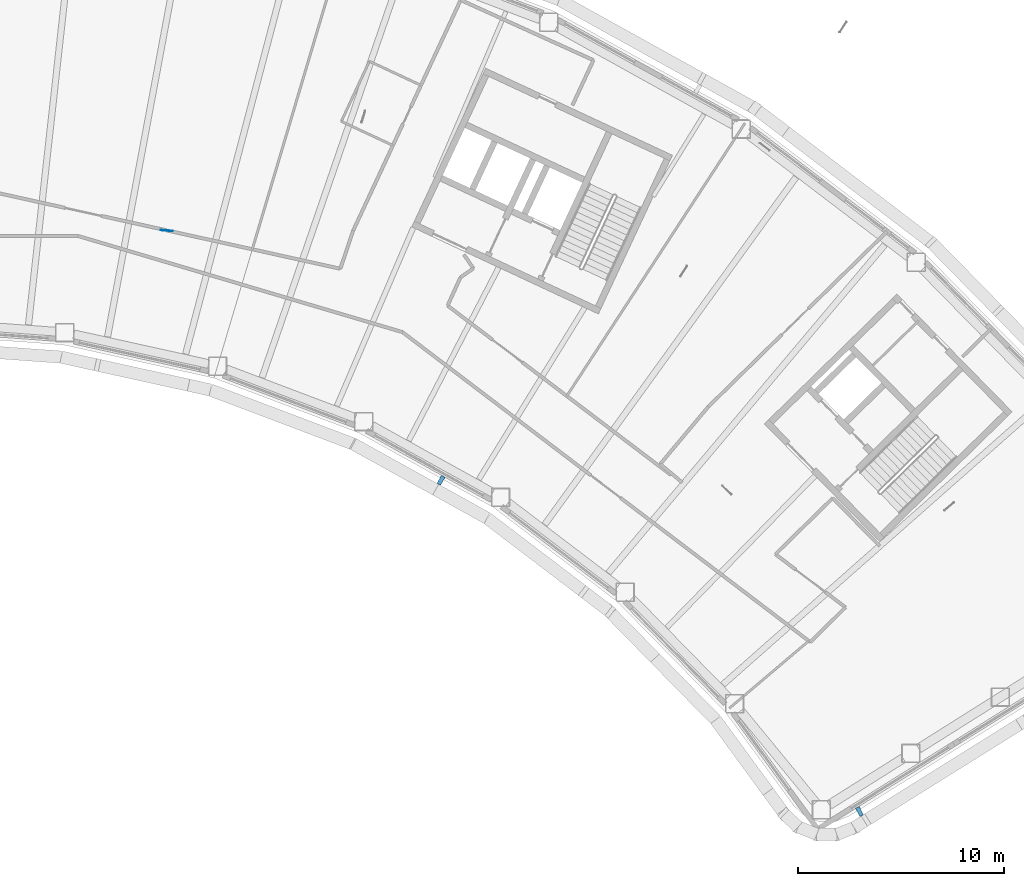
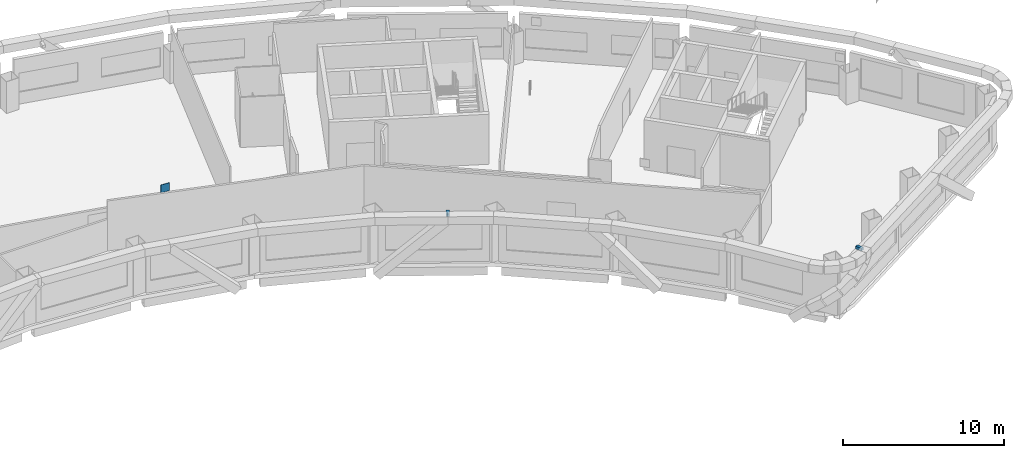
# One storey, part 14 of 20: 3 discrete accessories.
"""IFC4 building model written with IfcOpenShell, lengths in metres."""

from ifc_helpers import new_model, si_unit, direction, frame, origin, origin_2d, place, context, subcontext, project, spatial, rectangle, extrude, material, type_object, element, save


model = new_model("IFC4")

# Units and contexts
model_context = context("Model", 3, precision=1e-05, world=origin(), true_north=direction((0.0, 1.0)))
body_context = subcontext(model_context, "Body", "Model", "MODEL_VIEW")
ifc_project = project(units=[si_unit("LENGTHUNIT", "METRE"), si_unit("AREAUNIT", "SQUARE_METRE"), si_unit("VOLUMEUNIT", "CUBIC_METRE"), si_unit("PLANEANGLEUNIT", "RADIAN"), si_unit("MASSUNIT", "GRAM", prefix="KILO")], contexts=[model_context])

# Site, building, storey
site_placement = place(None, origin())
site = spatial("IfcSite", under=ifc_project, at=site_placement, CompositionType="ELEMENT")
building_placement = place(site_placement, origin())
building = spatial("IfcBuilding", under=site, at=building_placement, Name="Tuul Gate Civic Tower", CompositionType="ELEMENT")
storey_placement = place(building_placement, frame((0.0, 0.0, 197.300048828125)))
storey = spatial("IfcBuildingStorey", under=building, at=storey_placement, Name="Level 45", CompositionType="ELEMENT", Elevation=197.300048828125)

# Discrete accessories
ifc_material_1 = material(Name="Steel S355", Category="steel")
discrete_accessory_type_1 = type_object("IfcDiscreteAccessoryType", Name="Gusset plate", PredefinedType="BRACKET", material=ifc_material_1)
discrete_accessory_1_placement = place(storey_placement, frame((13.511962890625, -3.3388671875, 2.796142578125), z_axis=(0.0, 0.0, 1.0), x_axis=(-0.997381904937, 0.07231414595, 0.0)))
element("IfcDiscreteAccessory", 1, at=discrete_accessory_1_placement, inside=storey, type_object=discrete_accessory_type_1, Name="Gusset plate", PredefinedType="BRACKET", context=body_context, shape_type="SweptSolid", body=[
    extrude(rectangle(XDim=0.60009765625, YDim=0.030029296875, at=origin_2d()), origin(), (0.0, 0.0, 1.0), 0.60009765625),
])
ifc_material_2 = material(Name="Stainless steel", Category="steel")
discrete_accessory_type_2 = type_object("IfcDiscreteAccessoryType", Name="Screen bracket", PredefinedType="BRACKET", material=ifc_material_2)
discrete_accessory_2_placement = place(storey_placement, frame((26.82568359375, -15.45751953125, 3.75), z_axis=(0.0, 0.0, 1.0), x_axis=(-0.499372596618, -0.866387332402, 0.0)))
element("IfcDiscreteAccessory", 2, at=discrete_accessory_2_placement, inside=storey, type_object=discrete_accessory_type_2, Name="Screen bracket 29", PredefinedType="BRACKET", context=body_context, shape_type="SweptSolid", body=[
    extrude(rectangle(XDim=0.4501953125, YDim=0.199951171875, at=origin_2d()), origin(), (0.0, 0.0, 1.0), 0.199951171875),
])
discrete_accessory_3_placement = place(storey_placement, frame((47.1357421875, -31.5361328125, 3.75), z_axis=(0.0, 0.0, 1.0), x_axis=(0.453848979937, -0.891078617974, 0.0)))
element("IfcDiscreteAccessory", 3, at=discrete_accessory_3_placement, inside=storey, type_object=discrete_accessory_type_2, Name="Screen bracket 32", PredefinedType="BRACKET", context=body_context, shape_type="SweptSolid", body=[
    extrude(rectangle(XDim=0.45166015625, YDim=0.199951171875, at=origin_2d()), origin(), (0.0, 0.0, 1.0), 0.199951171875),
])

save(model, "model.ifc")
